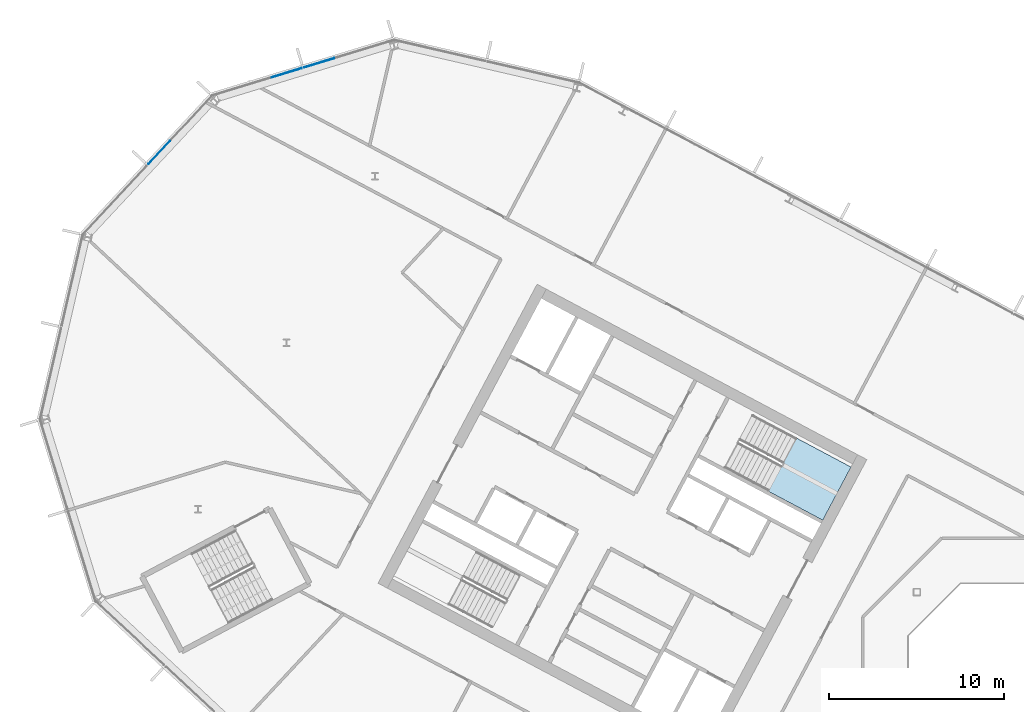
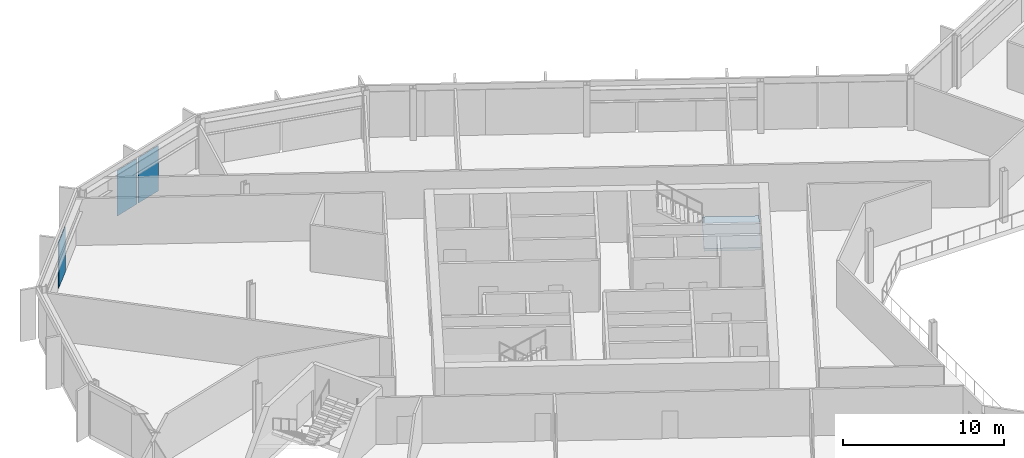
# One storey, part 11 of 27: 3 plates, 1 slab, 3 elements without a shape of their own.
"""IFC4 building model written with IfcOpenShell, lengths in metres."""

from ifc_helpers import new_model, si_unit, direction, frame, origin, origin_2d, place, context, subcontext, project, spatial, polyline, rectangle, outline, extrude, material, layer, layer_set, type_object, element, aggregate, save


model = new_model("IFC4")

# Units and contexts
model_context = context("Model", 3, precision=1e-05, world=origin(), true_north=direction((0.0, 1.0)))
body_context = subcontext(model_context, "Body", "Model", "MODEL_VIEW")
ifc_project = project(units=[si_unit("LENGTHUNIT", "METRE"), si_unit("AREAUNIT", "SQUARE_METRE"), si_unit("VOLUMEUNIT", "CUBIC_METRE"), si_unit("PLANEANGLEUNIT", "RADIAN"), si_unit("MASSUNIT", "GRAM", prefix="KILO")], contexts=[model_context])

# Site, building, storey
site_placement = place(None, origin())
site = spatial("IfcSite", under=ifc_project, at=site_placement, CompositionType="ELEMENT")
building_placement = place(site_placement, origin())
building = spatial("IfcBuilding", under=site, at=building_placement, Name="Cormorant Relay Tower", CompositionType="ELEMENT")
storey_placement = place(building_placement, frame((0.0, 0.0, 232.5)))
storey = spatial("IfcBuildingStorey", under=building, at=storey_placement, Name="L51", CompositionType="ELEMENT", Elevation=232.5)

# Curtain wall, plates
ifc_material_1 = material(Name="Aluminium 6063-T6 anodised bronze", Category="aluminium")
ifc_layer_1 = layer(ifc_material_1, 0.199951171875)
ifc_layer_set_1 = layer_set([ifc_layer_1], Name="CW1 unitised bronze curtain wall with vertical fins")
curtain_wall_type = type_object("IfcCurtainWallType", Name="CW1 unitised bronze curtain wall with vertical fins", PredefinedType="NOTDEFINED", material=ifc_layer_set_1)
curtain_wall_1_placement = place(storey_placement, origin())
curtain_wall_1 = element("IfcCurtainWall", 1, at=curtain_wall_1_placement, inside=storey, type_object=curtain_wall_type, Name="CW1 curtain wall 11", PredefinedType="NOTDEFINED")
ifc_material_2 = material(Name="Tinted laminated glass", Category="glass")
ifc_layer_2 = layer(ifc_material_2, 0.0400390625)
ifc_layer_set_2 = layer_set([ifc_layer_2], Name="CW1 tinted vision panel 1800 module")
plate_type = type_object("IfcPlateType", Name="CW1 tinted vision panel 1800 module", PredefinedType="CURTAIN_PANEL", material=ifc_layer_set_2)
plate_1_placement = place(storey_placement, frame((-44.73681640625, 40.82861328125, 0.0), z_axis=(0.0, 0.0, 1.0), x_axis=(-0.956304755963, -0.292371704723, 0.0)))
plate_1 = element("IfcPlate", 2, at=plate_1_placement, type_object=plate_type, Name="CW1 panel V01", PredefinedType="CURTAIN_PANEL", context=body_context, shape_type="SweptSolid", body=[
    extrude(rectangle(XDim=1.800048828125, YDim=0.0400390625, at=origin_2d()), origin(), (0.0, 0.0, 1.0), 3.449951171875),
])
plate_2_placement = place(storey_placement, frame((-46.6015625, 40.25830078125, 0.0), z_axis=(0.0, 0.0, 1.0), x_axis=(-0.956304755963, -0.292371704723, 0.0)))
plate_2 = element("IfcPlate", 3, at=plate_2_placement, type_object=plate_type, Name="CW1 panel V02", PredefinedType="CURTAIN_PANEL", context=body_context, shape_type="SweptSolid", body=[
    extrude(rectangle(XDim=1.800048828125, YDim=0.0400390625, at=origin_2d()), origin(), (0.0, 0.0, 1.0), 3.449951171875),
])
aggregate(curtain_wall_1, [plate_1, plate_2])

# Curtain wall, plate
curtain_wall_2_placement = place(storey_placement, origin())
curtain_wall_2 = element("IfcCurtainWall", 4, at=curtain_wall_2_placement, inside=storey, type_object=curtain_wall_type, Name="CW1 curtain wall 12", PredefinedType="NOTDEFINED")
plate_3_placement = place(storey_placement, frame((-53.91748046875, 35.68701171875, 0.0), z_axis=(0.0, 0.0, 1.0), x_axis=(-0.681998360062, -0.731353701619, 0.0)))
plate_3 = element("IfcPlate", 5, at=plate_3_placement, type_object=plate_type, Name="CW1 panel V01", PredefinedType="CURTAIN_PANEL", context=body_context, shape_type="SweptSolid", body=[
    extrude(rectangle(XDim=1.800048828125, YDim=0.0400390625, at=origin_2d()), origin(), (0.0, 0.0, 1.0), 3.449951171875),
])
aggregate(curtain_wall_2, [plate_3])

# Stair, slab
ifc_material_3 = material(Name="Concrete 40 MPa", Category="concrete")
stair_type = type_object("IfcStairType", Name="Exit stair 1500", PredefinedType="HALF_TURN_STAIR", material=ifc_material_3)
stair_placement = place(storey_placement, origin())
stair = element("IfcStair", 6, at=stair_placement, inside=storey, type_object=stair_type, Name="L51 Stair", PredefinedType="HALF_TURN_STAIR")
ifc_material_4 = material(Name="Concrete 40 MPa", Category="concrete")
ifc_layer_3 = layer(ifc_material_4, 0.199951171875)
ifc_layer_set_3 = layer_set([ifc_layer_3], Name="Exit stair landing 200")
slab_type = type_object("IfcSlabType", Name="Exit stair landing 200", PredefinedType="LANDING", material=ifc_layer_set_3)
slab_placement = place(storey_placement, frame((0.0, 0.0, 1.75)))
slab = element("IfcSlab", 7, at=slab_placement, type_object=slab_type, Name="A1 landing 1", PredefinedType="LANDING", context=body_context, shape_type="SweptSolid", body=[
    extrude(outline(polyline([(-19.029541015625, 16.29052734375), (-15.89501953125, 14.6240234375), (-14.275390625, 17.670166015625), (-17.40966796875, 19.3369140625), (-19.029541015625, 16.29052734375)])), origin(), (0.0, 0.0, 1.0), 0.199951171875),
])
aggregate(stair, [slab])

save(model, "model.ifc")
